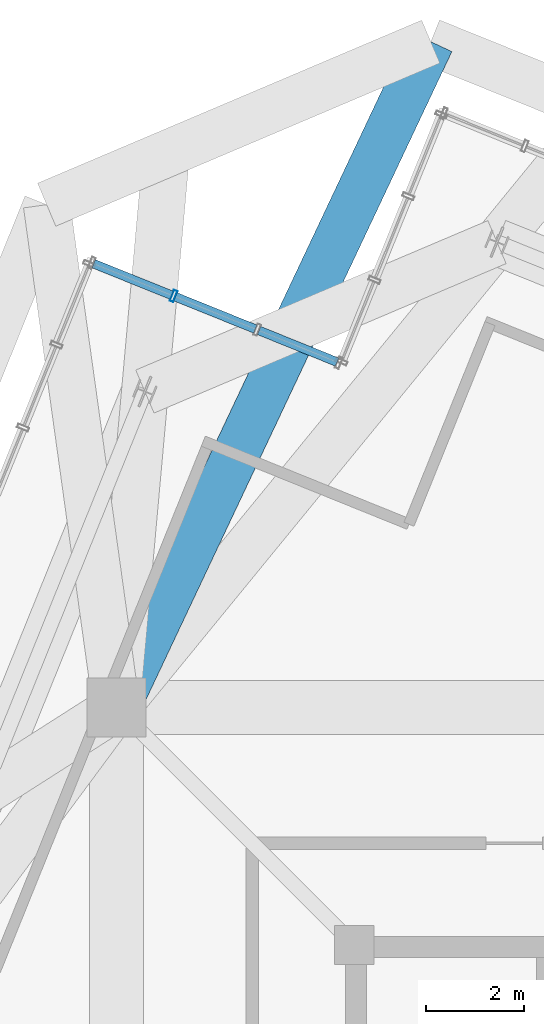
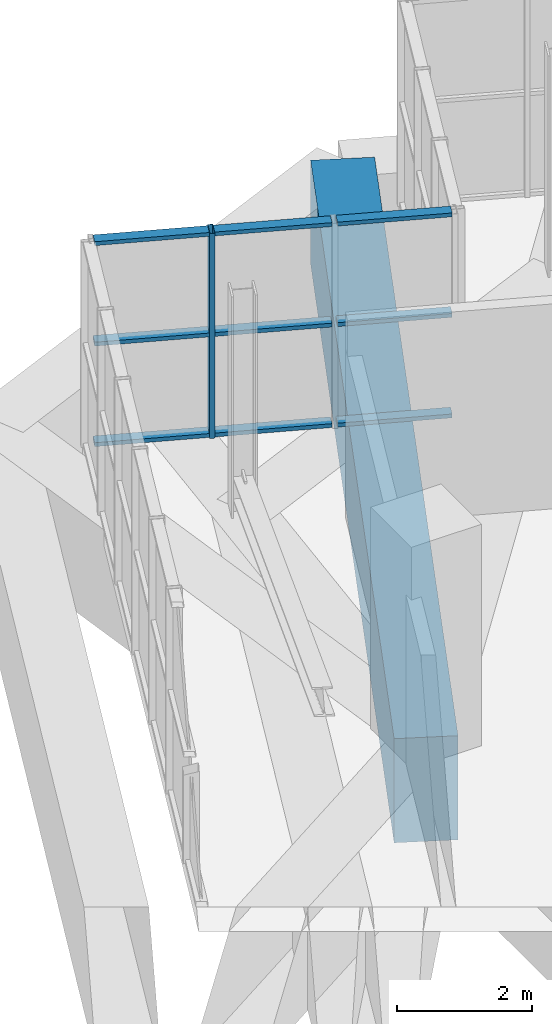
# One storey, part 19 of 35: 10 members, 1 beam, 1 element without a shape of its own.
"""IFC4 building model written with IfcOpenShell, lengths in metres."""

from ifc_helpers import new_model, si_unit, direction, frame, origin, origin_2d, place, context, subcontext, project, spatial, rectangle, hollow_rectangle, extrude, source, transform, mapped, material, layer, layer_set, material_profile, profile_set, type_object, element, aggregate, save


model = new_model("IFC4")

# Units and contexts
model_context = context("Model", 3, precision=1e-05, world=origin(), true_north=direction((0.0, 1.0)))
body_context = subcontext(model_context, "Body", "Model", "MODEL_VIEW")
ifc_project = project(units=[si_unit("LENGTHUNIT", "METRE"), si_unit("AREAUNIT", "SQUARE_METRE"), si_unit("VOLUMEUNIT", "CUBIC_METRE"), si_unit("PLANEANGLEUNIT", "RADIAN"), si_unit("MASSUNIT", "GRAM", prefix="KILO"), si_unit("THERMODYNAMICTEMPERATUREUNIT", "KELVIN")], contexts=[model_context])

# Site, building, storey
site_placement = place(None, origin())
site = spatial("IfcSite", under=ifc_project, at=site_placement, CompositionType="ELEMENT")
building_placement = place(site_placement, origin())
building = spatial("IfcBuilding", under=site, at=building_placement, Name="Kosmvard Interchange Tower", CompositionType="ELEMENT")
storey_placement = place(building_placement, frame((0.0, 0.0, 321.60009765625)))
storey = spatial("IfcBuildingStorey", under=building, at=storey_placement, Name="L79", CompositionType="ELEMENT", Elevation=321.60009765625)

# Beam
ifc_material_1 = material(Name="Concrete C60/75", Category="concrete")
ifc_material_profile_1 = material_profile(ifc_material_1, rectangle(XDim=0.949951171875, YDim=1.8798828125, at=origin_2d()), Name="TG 950x1880")
ifc_profile_set_1 = profile_set([ifc_material_profile_1], Name="Concrete C60/75")
beam_type = type_object("IfcBeamType", Name="Upper Long-Span Transfer Girder 950x1880 C60/75", PredefinedType="USERDEFINED", material=ifc_profile_set_1)
shared_shape_1 = source(origin(), body_context, "Body", "SweptSolid", [
    extrude(rectangle(XDim=0.949951171875, YDim=1.8798828125, at=origin_2d()), origin(), (0.0, 0.0, 1.0), 14.97119140625),
])
beam_placement = place(storey_placement, frame((-13.0810546875, 13.0810546875, -0.940185546875), z_axis=(0.426878146761, 0.904309155001, 0.0), x_axis=(-0.904309155001, 0.426878146761, 0.0)))
element("IfcBeam", 1, at=beam_placement, inside=storey, type_object=beam_type, Name="BM-L79-LD06", ObjectType="TRANSFER_GIRDER", PredefinedType="USERDEFINED", context=body_context, shape_type="MappedRepresentation", body=[
    mapped(shared_shape_1, transform((0.0, 0.0, 0.0), scale=1.0)),
])

# Curtain wall, members
ifc_material_2 = material(Name="Architectural anodised aluminium", Category="aluminium")
ifc_layer = layer(ifc_material_2, 0.25, Name="Architectural anodised aluminium")
ifc_layer_set = layer_set([ifc_layer], Name="Architectural anodised aluminium")
curtain_wall_type = type_object("IfcCurtainWallType", Name="CW-6 Illuminated Crown Lantern Curtain Wall", PredefinedType="NOTDEFINED", material=ifc_layer_set)
curtain_wall_placement = place(storey_placement, origin())
curtain_wall = element("IfcCurtainWall", 2, at=curtain_wall_placement, inside=storey, type_object=curtain_wall_type, Name="L79 Crown Lantern Glazing Face 06", PredefinedType="NOTDEFINED")
ifc_material_profile_2 = material_profile(ifc_material_2, hollow_rectangle(XDim=0.239990234375, YDim=0.080078125, WallThickness=0.006103515625, at=origin_2d()), Name="CWM 240x80x6")
ifc_profile_set_2 = profile_set([ifc_material_profile_2], Name="Architectural anodised aluminium")
member_type_1 = type_object("IfcMemberType", Name="Lantern & Observation CW Mullion 240x80 Aluminium", PredefinedType="MULLION", material=ifc_profile_set_2)
shared_shape_2 = source(origin(), body_context, "Body", "SweptSolid", [
    extrude(hollow_rectangle(XDim=0.239990234375, YDim=0.080078125, WallThickness=0.006103515625, at=origin_2d()), origin(), (0.0, 0.0, 1.0), 3.699951171875),
])
member_1_placement = place(storey_placement, frame((-11.92041015625, 21.447265625, 0.0), z_axis=(0.0, 0.0, 1.0), x_axis=(-0.374606501678, -0.927183891631, 0.0)))
member_1 = element("IfcMember", 3, at=member_1_placement, type_object=member_type_1, Name="CW-6 mullion 3", PredefinedType="MULLION", context=body_context, shape_type="MappedRepresentation", body=[
    mapped(shared_shape_2, transform((0.0, 0.0, 0.0), scale=1.0)),
])
ifc_material_profile_3 = material_profile(ifc_material_2, hollow_rectangle(XDim=0.179931640625, YDim=0.070068359375, WallThickness=0.0048828125, at=origin_2d()), Name="CWT 180x70x5")
ifc_profile_set_3 = profile_set([ifc_material_profile_3], Name="Architectural anodised aluminium")
member_type_2 = type_object("IfcMemberType", Name="Heavy Lantern CW Transom 180x70 Aluminium", PredefinedType="USERDEFINED", material=ifc_profile_set_3)
shared_shape_3 = source(origin(), body_context, "Body", "SweptSolid", [
    extrude(hollow_rectangle(XDim=0.179931640625, YDim=0.070068359375, WallThickness=0.0048828125, at=origin_2d()), origin(), (0.0, 0.0, 1.0), 1.71337890625),
])
member_2_placement = place(storey_placement, frame((-8.594970703125, 20.103515625, 0.034912109375), z_axis=(-0.927183787829, 0.374606758599, 0.0), x_axis=(-0.374606758599, -0.927183787829, 0.0)))
member_2 = element("IfcMember", 4, at=member_2_placement, type_object=member_type_2, Name="CW-6 transom 1.1", ObjectType="TRANSOM", PredefinedType="USERDEFINED", context=body_context, shape_type="MappedRepresentation", body=[
    mapped(shared_shape_3, transform((0.0, 0.0, 0.0), scale=1.0)),
])
member_3_placement = place(storey_placement, frame((-8.594970703125, 20.103515625, 1.849853515625), z_axis=(-0.927183787829, 0.374606758599, 0.0), x_axis=(-0.374606758599, -0.927183787829, 0.0)))
member_3 = element("IfcMember", 5, at=member_3_placement, type_object=member_type_2, Name="CW-6 transom 1.2", ObjectType="TRANSOM", PredefinedType="USERDEFINED", context=body_context, shape_type="MappedRepresentation", body=[
    mapped(shared_shape_3, transform((0.0, 0.0, 0.0), scale=1.0)),
])
member_4_placement = place(storey_placement, frame((-8.594970703125, 20.103515625, 3.664794921875), z_axis=(-0.927183787829, 0.374606758599, 0.0), x_axis=(-0.374606758599, -0.927183787829, 0.0)))
member_4 = element("IfcMember", 6, at=member_4_placement, type_object=member_type_2, Name="CW-6 transom 1.3", ObjectType="TRANSOM", PredefinedType="USERDEFINED", context=body_context, shape_type="MappedRepresentation", body=[
    mapped(shared_shape_3, transform((0.0, 0.0, 0.0), scale=1.0)),
])
member_5_placement = place(storey_placement, frame((-11.95751953125, 21.462158203125, 0.034912109375), z_axis=(-0.927183787829, 0.374606758599, 0.0), x_axis=(-0.374606758599, -0.927183787829, 0.0)))
member_5 = element("IfcMember", 7, at=member_5_placement, type_object=member_type_2, Name="CW-6 transom 3.1", ObjectType="TRANSOM", PredefinedType="USERDEFINED", context=body_context, shape_type="MappedRepresentation", body=[
    mapped(shared_shape_3, transform((0.0, 0.0, 0.0), scale=1.0)),
])
member_6_placement = place(storey_placement, frame((-11.95751953125, 21.462158203125, 1.849853515625), z_axis=(-0.927183787829, 0.374606758599, 0.0), x_axis=(-0.374606758599, -0.927183787829, 0.0)))
member_6 = element("IfcMember", 8, at=member_6_placement, type_object=member_type_2, Name="CW-6 transom 3.2", ObjectType="TRANSOM", PredefinedType="USERDEFINED", context=body_context, shape_type="MappedRepresentation", body=[
    mapped(shared_shape_3, transform((0.0, 0.0, 0.0), scale=1.0)),
])
member_7_placement = place(storey_placement, frame((-11.95751953125, 21.462158203125, 3.664794921875), z_axis=(-0.927183787829, 0.374606758599, 0.0), x_axis=(-0.374606758599, -0.927183787829, 0.0)))
member_7 = element("IfcMember", 9, at=member_7_placement, type_object=member_type_2, Name="CW-6 transom 3.3", ObjectType="TRANSOM", PredefinedType="USERDEFINED", context=body_context, shape_type="MappedRepresentation", body=[
    mapped(shared_shape_3, transform((0.0, 0.0, 0.0), scale=1.0)),
])
shared_shape_4 = source(origin(), body_context, "Body", "SweptSolid", [
    extrude(hollow_rectangle(XDim=0.179931640625, YDim=0.070068359375, WallThickness=0.0048828125, at=origin_2d()), origin(), (0.0, 0.0, 1.0), 1.75341796875),
])
member_8_placement = place(storey_placement, frame((-10.257568359375, 20.775390625, 0.034912109375), z_axis=(-0.927203712676, 0.37455743912, 0.0), x_axis=(-0.37455743912, -0.927203712676, 0.0)))
member_8 = element("IfcMember", 10, at=member_8_placement, type_object=member_type_2, Name="CW-6 transom 2.1", ObjectType="TRANSOM", PredefinedType="USERDEFINED", context=body_context, shape_type="MappedRepresentation", body=[
    mapped(shared_shape_4, transform((0.0, 0.0, 0.0), scale=1.0)),
])
member_9_placement = place(storey_placement, frame((-10.257568359375, 20.775390625, 1.849853515625), z_axis=(-0.927203712676, 0.37455743912, 0.0), x_axis=(-0.37455743912, -0.927203712676, 0.0)))
member_9 = element("IfcMember", 11, at=member_9_placement, type_object=member_type_2, Name="CW-6 transom 2.2", ObjectType="TRANSOM", PredefinedType="USERDEFINED", context=body_context, shape_type="MappedRepresentation", body=[
    mapped(shared_shape_4, transform((0.0, 0.0, 0.0), scale=1.0)),
])
member_10_placement = place(storey_placement, frame((-10.257568359375, 20.775390625, 3.664794921875), z_axis=(-0.927203712676, 0.37455743912, 0.0), x_axis=(-0.37455743912, -0.927203712676, 0.0)))
member_10 = element("IfcMember", 12, at=member_10_placement, type_object=member_type_2, Name="CW-6 transom 2.3", ObjectType="TRANSOM", PredefinedType="USERDEFINED", context=body_context, shape_type="MappedRepresentation", body=[
    mapped(shared_shape_4, transform((0.0, 0.0, 0.0), scale=1.0)),
])
aggregate(curtain_wall, [member_1, member_2, member_3, member_4, member_8, member_9, member_10, member_5, member_6, member_7])

save(model, "model.ifc")
